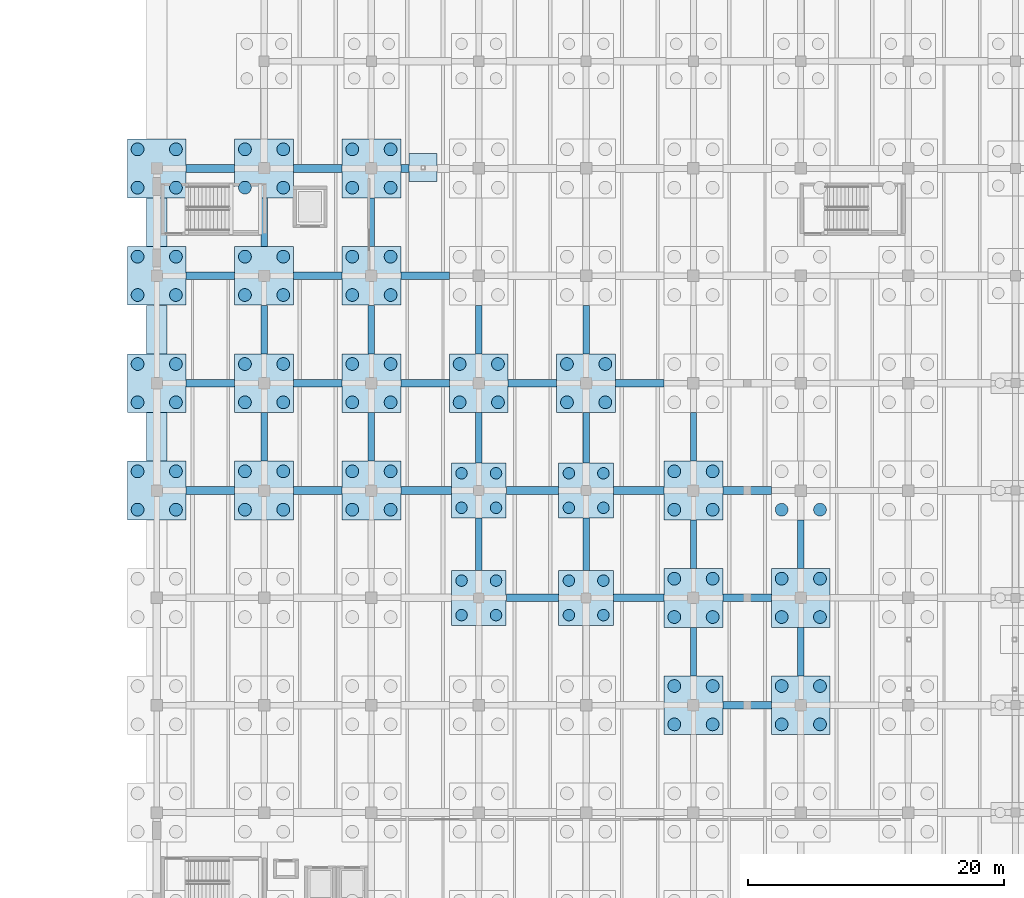
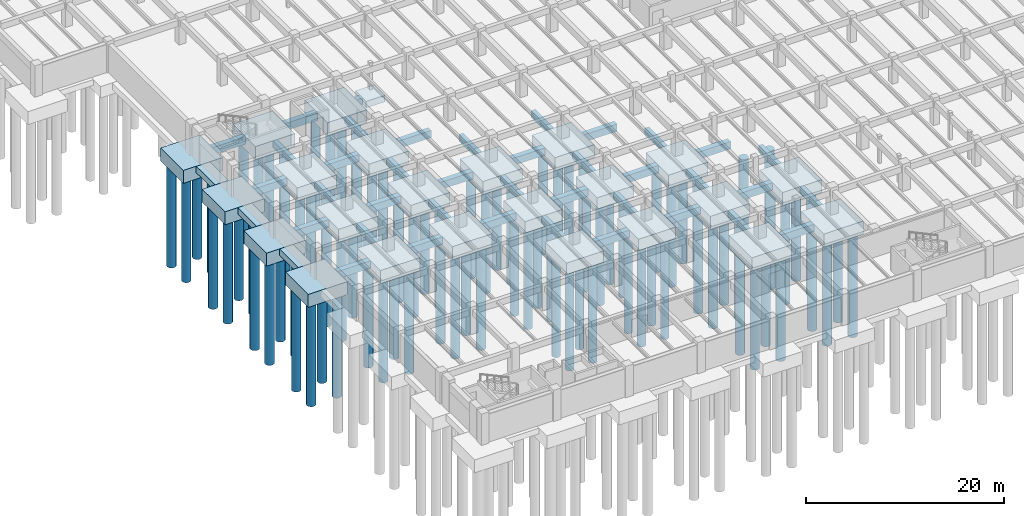
# One storey, part 2 of 70: 94 piles, 65 footings.
"""IFC4 building model written with IfcOpenShell, lengths in metres."""

from ifc_helpers import new_model, si_unit, direction, frame, origin, origin_2d, place, context, subcontext, project, spatial, rectangle, circle, extrude, material, material_profile, profile_set, type_object, element, save


model = new_model("IFC4")

# Units and contexts
model_context = context("Model", 3, precision=1e-05, world=origin(), true_north=direction((0.0, 1.0)))
body_context = subcontext(model_context, "Body", "Model", "MODEL_VIEW")
ifc_project = project(units=[si_unit("LENGTHUNIT", "METRE"), si_unit("AREAUNIT", "SQUARE_METRE"), si_unit("VOLUMEUNIT", "CUBIC_METRE"), si_unit("PLANEANGLEUNIT", "RADIAN"), si_unit("MASSUNIT", "GRAM", prefix="KILO")], contexts=[model_context])

# Site, building, storey
site_placement = place(None, origin())
site = spatial("IfcSite", under=ifc_project, at=site_placement, CompositionType="ELEMENT")
building_placement = place(site_placement, origin())
building = spatial("IfcBuilding", under=site, at=building_placement, Name="Cumbredor Promenade Congress Hotel", CompositionType="ELEMENT")
storey_placement = place(building_placement, frame((0.0, 0.0, -7.56005859375)))
storey = spatial("IfcBuildingStorey", under=building, at=storey_placement, Name="B02", CompositionType="ELEMENT", Elevation=-7.56005859375)

# Piles
ifc_material = material(Name="Concrete C40/50", Category="concrete")
ifc_material_profile_1 = material_profile(ifc_material, circle(Radius=0.449951171875, at=origin_2d()), Name="PILE D900")
ifc_profile_set_1 = profile_set([ifc_material_profile_1], Name="Concrete C40/50")
pile_type_1 = type_object("IfcPileType", Name="Bored Concrete Pile BP-02 900mm", PredefinedType="BORED", material=ifc_profile_set_1)
for number, where, z_axis, x_axis, name in (
    (1, (32.25, 32.25, -1.75), (0.0, 0.0, -1.0), (1.0, 0.0, 0.0), "Bored Pile PC-02-049.1"),
    (2, (34.949951171875, 32.25, -1.75), (0.0, 0.0, -1.0), (1.0, 0.0, 0.0), "Bored Pile PC-02-049.2"),
    (3, (32.25, 34.949951171875, -1.75), (0.0, 0.0, -1.0), (1.0, 0.0, 0.0), "Bored Pile PC-02-049.3"),
    (4, (34.949951171875, 34.949951171875, -1.75), (0.0, 0.0, -1.0), (1.0, 0.0, 0.0), "Bored Pile PC-02-049.4"),
    (5, (32.25, 40.64990234375, -1.75), (0.0, 0.0, -1.0), (1.0, 0.0, 0.0), "Bored Pile PC-02-050.1"),
    (6, (34.949951171875, 40.64990234375, -1.75), (0.0, 0.0, -1.0), (1.0, 0.0, 0.0), "Bored Pile PC-02-050.2"),
    (7, (32.25, 43.35009765625, -1.75), (0.0, 0.0, -1.0), (1.0, 0.0, 0.0), "Bored Pile PC-02-050.3"),
    (8, (34.949951171875, 43.35009765625, -1.75), (0.0, 0.0, -1.0), (1.0, 0.0, 0.0), "Bored Pile PC-02-050.4"),
    (9, (40.64990234375, 32.25, -1.75), (0.0, 0.0, -1.0), (1.0, 0.0, 0.0), "Bored Pile PC-02-062.1"),
    (10, (43.35009765625, 32.25, -1.75), (0.0, 0.0, -1.0), (1.0, 0.0, 0.0), "Bored Pile PC-02-062.2"),
    (11, (40.64990234375, 34.949951171875, -1.75), (0.0, 0.0, -1.0), (1.0, 0.0, 0.0), "Bored Pile PC-02-062.3"),
    (12, (43.35009765625, 34.949951171875, -1.75), (0.0, 0.0, -1.0), (1.0, 0.0, 0.0), "Bored Pile PC-02-062.4"),
    (13, (40.64990234375, 40.64990234375, -1.75), (0.0, 0.0, -1.0), (1.0, 0.0, 0.0), "Bored Pile PC-02-063.1"),
    (14, (43.35009765625, 40.64990234375, -1.75), (0.0, 0.0, -1.0), (1.0, 0.0, 0.0), "Bored Pile PC-02-063.2"),
    (15, (40.64990234375, 43.35009765625, -1.75), (0.0, 0.0, -1.0), (1.0, 0.0, 0.0), "Bored Pile PC-02-063.3"),
    (16, (43.35009765625, 43.35009765625, -1.75), (0.0, 0.0, -1.0), (1.0, 0.0, 0.0), "Bored Pile PC-02-063.4"),
):
    element("IfcPile", number, at=place(storey_placement, frame(where, z_axis=z_axis, x_axis=x_axis)), inside=storey, type_object=pile_type_1, Name=name, PredefinedType="BORED", context=body_context, shape_type="SweptSolid", body=[
        extrude(circle(Radius=0.449951171875, at=origin_2d()), origin(), (0.0, 0.0, 1.0), 12.5),
    ])
ifc_material_profile_2 = material_profile(ifc_material, circle(Radius=0.5, at=origin_2d()), Name="PILE D1000")
ifc_profile_set_2 = profile_set([ifc_material_profile_2], Name="Concrete C40/50")
pile_type_2 = type_object("IfcPileType", Name="Bored Concrete Pile BP-03 1000mm", PredefinedType="BORED", material=ifc_profile_set_2)
for number, where, z_axis, x_axis, name in (
    (17, (6.89990234375, 40.5, -1.949951171875), (0.0, 0.0, -1.0), (1.0, 0.0, 0.0), "Bored Pile PC-03-010.1"),
    (18, (9.89990234375, 40.5, -1.949951171875), (0.0, 0.0, -1.0), (1.0, 0.0, 0.0), "Bored Pile PC-03-010.2"),
    (19, (6.89990234375, 43.5, -1.949951171875), (0.0, 0.0, -1.0), (1.0, 0.0, 0.0), "Bored Pile PC-03-010.3"),
    (20, (9.89990234375, 43.5, -1.949951171875), (0.0, 0.0, -1.0), (1.0, 0.0, 0.0), "Bored Pile PC-03-010.4"),
    (21, (6.89990234375, 48.89990234375, -1.949951171875), (0.0, 0.0, -1.0), (1.0, 0.0, 0.0), "Bored Pile PC-03-011.1"),
    (22, (9.89990234375, 48.89990234375, -1.949951171875), (0.0, 0.0, -1.0), (1.0, 0.0, 0.0), "Bored Pile PC-03-011.2"),
    (23, (6.89990234375, 51.89990234375, -1.949951171875), (0.0, 0.0, -1.0), (1.0, 0.0, 0.0), "Bored Pile PC-03-011.3"),
    (24, (9.89990234375, 51.89990234375, -1.949951171875), (0.0, 0.0, -1.0), (1.0, 0.0, 0.0), "Bored Pile PC-03-011.4"),
    (25, (6.89990234375, 57.300048828125, -1.949951171875), (0.0, 0.0, -1.0), (1.0, 0.0, 0.0), "Bored Pile PC-03-012.1"),
    (26, (9.89990234375, 57.300048828125, -1.949951171875), (0.0, 0.0, -1.0), (1.0, 0.0, 0.0), "Bored Pile PC-03-012.2"),
    (27, (6.89990234375, 60.300048828125, -1.949951171875), (0.0, 0.0, -1.0), (1.0, 0.0, 0.0), "Bored Pile PC-03-012.3"),
    (28, (9.89990234375, 60.300048828125, -1.949951171875), (0.0, 0.0, -1.0), (1.0, 0.0, 0.0), "Bored Pile PC-03-012.4"),
    (29, (6.89990234375, 65.699951171875, -1.949951171875), (0.0, 0.0, -1.0), (1.0, 0.0, 0.0), "Bored Pile PC-03-013.1"),
    (30, (9.89990234375, 65.699951171875, -1.949951171875), (0.0, 0.0, -1.0), (1.0, 0.0, 0.0), "Bored Pile PC-03-013.2"),
    (31, (6.89990234375, 68.699951171875, -1.949951171875), (0.0, 0.0, -1.0), (1.0, 0.0, 0.0), "Bored Pile PC-03-013.3"),
    (32, (9.89990234375, 68.699951171875, -1.949951171875), (0.0, 0.0, -1.0), (1.0, 0.0, 0.0), "Bored Pile PC-03-013.4"),
    (33, (15.300048828125, 40.5, -1.949951171875), (0.0, 0.0, -1.0), (1.0, 0.0, 0.0), "Bored Pile PC-03-023.1"),
    (34, (18.300048828125, 40.5, -1.949951171875), (0.0, 0.0, -1.0), (1.0, 0.0, 0.0), "Bored Pile PC-03-023.2"),
    (35, (15.300048828125, 43.5, -1.949951171875), (0.0, 0.0, -1.0), (1.0, 0.0, 0.0), "Bored Pile PC-03-023.3"),
    (36, (18.300048828125, 43.5, -1.949951171875), (0.0, 0.0, -1.0), (1.0, 0.0, 0.0), "Bored Pile PC-03-023.4"),
    (37, (15.300048828125, 48.89990234375, -1.949951171875), (0.0, 0.0, -1.0), (1.0, 0.0, 0.0), "Bored Pile PC-03-024.1"),
    (38, (18.300048828125, 48.89990234375, -1.949951171875), (0.0, 0.0, -1.0), (1.0, 0.0, 0.0), "Bored Pile PC-03-024.2"),
    (39, (15.300048828125, 51.89990234375, -1.949951171875), (0.0, 0.0, -1.0), (1.0, 0.0, 0.0), "Bored Pile PC-03-024.3"),
    (40, (18.300048828125, 51.89990234375, -1.949951171875), (0.0, 0.0, -1.0), (1.0, 0.0, 0.0), "Bored Pile PC-03-024.4"),
    (41, (15.300048828125, 57.300048828125, -1.949951171875), (0.0, 0.0, -1.0), (1.0, 0.0, 0.0), "Bored Pile PC-03-025.1"),
    (42, (18.300048828125, 57.300048828125, -1.949951171875), (0.0, 0.0, -1.0), (1.0, 0.0, 0.0), "Bored Pile PC-03-025.2"),
    (43, (15.300048828125, 60.300048828125, -1.949951171875), (0.0, 0.0, -1.0), (1.0, 0.0, 0.0), "Bored Pile PC-03-025.3"),
    (44, (18.300048828125, 60.300048828125, -1.949951171875), (0.0, 0.0, -1.0), (1.0, 0.0, 0.0), "Bored Pile PC-03-025.4"),
    (45, (15.300048828125, 65.699951171875, -1.949951171875), (0.0, 0.0, -1.0), (1.0, 0.0, 0.0), "Bored Pile PC-03-026.1"),
    (46, (18.300048828125, 65.699951171875, -1.949951171875), (0.0, 0.0, -1.0), (1.0, 0.0, 0.0), "Bored Pile PC-03-026.2"),
    (47, (15.300048828125, 68.699951171875, -1.949951171875), (0.0, 0.0, -1.0), (1.0, 0.0, 0.0), "Bored Pile PC-03-026.3"),
    (48, (18.300048828125, 68.699951171875, -1.949951171875), (0.0, 0.0, -1.0), (1.0, 0.0, 0.0), "Bored Pile PC-03-026.4"),
    (49, (23.699951171875, 40.5, -1.949951171875), (0.0, 0.0, -1.0), (1.0, 0.0, 0.0), "Bored Pile PC-03-037.1"),
    (50, (26.699951171875, 40.5, -1.949951171875), (0.0, 0.0, -1.0), (1.0, 0.0, 0.0), "Bored Pile PC-03-037.2"),
    (51, (23.699951171875, 43.5, -1.949951171875), (0.0, 0.0, -1.0), (1.0, 0.0, 0.0), "Bored Pile PC-03-037.3"),
    (52, (26.699951171875, 43.5, -1.949951171875), (0.0, 0.0, -1.0), (1.0, 0.0, 0.0), "Bored Pile PC-03-037.4"),
    (53, (23.699951171875, 48.89990234375, -1.949951171875), (0.0, 0.0, -1.0), (1.0, 0.0, 0.0), "Bored Pile PC-03-038.1"),
    (54, (26.699951171875, 48.89990234375, -1.949951171875), (0.0, 0.0, -1.0), (1.0, 0.0, 0.0), "Bored Pile PC-03-038.2"),
    (55, (23.699951171875, 51.89990234375, -1.949951171875), (0.0, 0.0, -1.0), (1.0, 0.0, 0.0), "Bored Pile PC-03-038.3"),
    (56, (26.699951171875, 51.89990234375, -1.949951171875), (0.0, 0.0, -1.0), (1.0, 0.0, 0.0), "Bored Pile PC-03-038.4"),
    (57, (23.699951171875, 57.300048828125, -1.949951171875), (0.0, 0.0, -1.0), (1.0, 0.0, 0.0), "Bored Pile PC-03-039.1"),
    (58, (26.699951171875, 57.300048828125, -1.949951171875), (0.0, 0.0, -1.0), (1.0, 0.0, 0.0), "Bored Pile PC-03-039.2"),
    (59, (23.699951171875, 60.300048828125, -1.949951171875), (0.0, 0.0, -1.0), (1.0, 0.0, 0.0), "Bored Pile PC-03-039.3"),
    (60, (26.699951171875, 60.300048828125, -1.949951171875), (0.0, 0.0, -1.0), (1.0, 0.0, 0.0), "Bored Pile PC-03-039.4"),
    (61, (23.699951171875, 65.699951171875, -1.949951171875), (0.0, 0.0, -1.0), (1.0, 0.0, 0.0), "Bored Pile PC-03-040.1"),
    (62, (26.699951171875, 65.699951171875, -1.949951171875), (0.0, 0.0, -1.0), (1.0, 0.0, 0.0), "Bored Pile PC-03-040.2"),
    (63, (23.699951171875, 68.699951171875, -1.949951171875), (0.0, 0.0, -1.0), (1.0, 0.0, 0.0), "Bored Pile PC-03-040.3"),
    (64, (26.699951171875, 68.699951171875, -1.949951171875), (0.0, 0.0, -1.0), (1.0, 0.0, 0.0), "Bored Pile PC-03-040.4"),
    (65, (32.10009765625, 48.89990234375, -1.949951171875), (0.0, 0.0, -1.0), (1.0, 0.0, 0.0), "Bored Pile PC-03-051.1"),
    (66, (35.10009765625, 48.89990234375, -1.949951171875), (0.0, 0.0, -1.0), (1.0, 0.0, 0.0), "Bored Pile PC-03-051.2"),
    (67, (32.10009765625, 51.89990234375, -1.949951171875), (0.0, 0.0, -1.0), (1.0, 0.0, 0.0), "Bored Pile PC-03-051.3"),
    (68, (35.10009765625, 51.89990234375, -1.949951171875), (0.0, 0.0, -1.0), (1.0, 0.0, 0.0), "Bored Pile PC-03-051.4"),
    (69, (40.5, 48.89990234375, -1.949951171875), (0.0, 0.0, -1.0), (1.0, 0.0, 0.0), "Bored Pile PC-03-064.1"),
    (70, (43.5, 48.89990234375, -1.949951171875), (0.0, 0.0, -1.0), (1.0, 0.0, 0.0), "Bored Pile PC-03-064.2"),
    (71, (40.5, 51.89990234375, -1.949951171875), (0.0, 0.0, -1.0), (1.0, 0.0, 0.0), "Bored Pile PC-03-064.3"),
    (72, (43.5, 51.89990234375, -1.949951171875), (0.0, 0.0, -1.0), (1.0, 0.0, 0.0), "Bored Pile PC-03-064.4"),
    (73, (48.89990234375, 23.699951171875, -1.949951171875), (0.0, 0.0, -1.0), (1.0, 0.0, 0.0), "Bored Pile PC-03-074.1"),
    (74, (51.89990234375, 23.699951171875, -1.949951171875), (0.0, 0.0, -1.0), (1.0, 0.0, 0.0), "Bored Pile PC-03-074.2"),
    (75, (48.89990234375, 26.699951171875, -1.949951171875), (0.0, 0.0, -1.0), (1.0, 0.0, 0.0), "Bored Pile PC-03-074.3"),
    (76, (51.89990234375, 26.699951171875, -1.949951171875), (0.0, 0.0, -1.0), (1.0, 0.0, 0.0), "Bored Pile PC-03-074.4"),
    (77, (48.89990234375, 32.10009765625, -1.949951171875), (0.0, 0.0, -1.0), (1.0, 0.0, 0.0), "Bored Pile PC-03-075.1"),
    (78, (51.89990234375, 32.10009765625, -1.949951171875), (0.0, 0.0, -1.0), (1.0, 0.0, 0.0), "Bored Pile PC-03-075.2"),
    (79, (48.89990234375, 35.10009765625, -1.949951171875), (0.0, 0.0, -1.0), (1.0, 0.0, 0.0), "Bored Pile PC-03-075.3"),
    (80, (51.89990234375, 35.10009765625, -1.949951171875), (0.0, 0.0, -1.0), (1.0, 0.0, 0.0), "Bored Pile PC-03-075.4"),
    (81, (48.89990234375, 40.5, -1.949951171875), (0.0, 0.0, -1.0), (1.0, 0.0, 0.0), "Bored Pile PC-03-076.1"),
    (82, (51.89990234375, 40.5, -1.949951171875), (0.0, 0.0, -1.0), (1.0, 0.0, 0.0), "Bored Pile PC-03-076.2"),
    (83, (48.89990234375, 43.5, -1.949951171875), (0.0, 0.0, -1.0), (1.0, 0.0, 0.0), "Bored Pile PC-03-076.3"),
    (84, (51.89990234375, 43.5, -1.949951171875), (0.0, 0.0, -1.0), (1.0, 0.0, 0.0), "Bored Pile PC-03-076.4"),
    (85, (57.300048828125, 23.699951171875, -1.949951171875), (0.0, 0.0, -1.0), (1.0, 0.0, 0.0), "Bored Pile PC-03-088.1"),
    (86, (60.300048828125, 23.699951171875, -1.949951171875), (0.0, 0.0, -1.0), (1.0, 0.0, 0.0), "Bored Pile PC-03-088.2"),
    (87, (57.300048828125, 26.699951171875, -1.949951171875), (0.0, 0.0, -1.0), (1.0, 0.0, 0.0), "Bored Pile PC-03-088.3"),
    (88, (60.300048828125, 26.699951171875, -1.949951171875), (0.0, 0.0, -1.0), (1.0, 0.0, 0.0), "Bored Pile PC-03-088.4"),
    (89, (57.300048828125, 32.10009765625, -1.949951171875), (0.0, 0.0, -1.0), (1.0, 0.0, 0.0), "Bored Pile PC-03-089.1"),
    (90, (60.300048828125, 32.10009765625, -1.949951171875), (0.0, 0.0, -1.0), (1.0, 0.0, 0.0), "Bored Pile PC-03-089.2"),
    (91, (57.300048828125, 35.10009765625, -1.949951171875), (0.0, 0.0, -1.0), (1.0, 0.0, 0.0), "Bored Pile PC-03-089.3"),
    (92, (60.300048828125, 35.10009765625, -1.949951171875), (0.0, 0.0, -1.0), (1.0, 0.0, 0.0), "Bored Pile PC-03-089.4"),
    (93, (57.300048828125, 40.5, -1.949951171875), (0.0, 0.0, -1.0), (1.0, 0.0, 0.0), "Bored Pile PC-03-090.1"),
    (94, (60.300048828125, 40.5, -1.949951171875), (0.0, 0.0, -1.0), (1.0, 0.0, 0.0), "Bored Pile PC-03-090.2"),
):
    element("IfcPile", number, at=place(storey_placement, frame(where, z_axis=z_axis, x_axis=x_axis)), inside=storey, type_object=pile_type_2, Name=name, PredefinedType="BORED", context=body_context, shape_type="SweptSolid", body=[
        extrude(circle(Radius=0.5, at=origin_2d()), origin(), (0.0, 0.0, 1.0), 12.800048828125),
    ])

# Footings
ifc_material_profile_3 = material_profile(ifc_material, rectangle(XDim=0.5, YDim=0.800048828125, at=origin_2d()), Name="FB 500x800")
ifc_profile_set_3 = profile_set([ifc_material_profile_3], Name="Concrete C40/50")
footing_type_1 = type_object("IfcFootingType", Name="Concrete Footing Tie Beam FB-01 500x800", PredefinedType="FOOTING_BEAM", material=ifc_profile_set_3)
footing_1_placement = place(storey_placement, frame((16.800048828125, 44.302001953125, -0.89990234375), z_axis=(0.0, 1.0, 0.0), x_axis=(-1.0, 0.0, 0.0)))
element("IfcFooting", 95, at=footing_1_placement, inside=storey, type_object=footing_type_1, Name="Seismic Footing Tie Beam FB-043", PredefinedType="FOOTING_BEAM", context=body_context, shape_type="SweptSolid", body=[
    extrude(rectangle(XDim=0.5, YDim=0.800048828125, at=origin_2d()), origin(), (0.0, 0.0, 1.0), 3.7958984375),
])
footing_2_placement = place(storey_placement, frame((16.800048828125, 52.701904296875, -0.89990234375), z_axis=(0.0, 1.0, 0.0), x_axis=(-1.0, 0.0, 0.0)))
element("IfcFooting", 96, at=footing_2_placement, inside=storey, type_object=footing_type_1, Name="Seismic Footing Tie Beam FB-045", PredefinedType="FOOTING_BEAM", context=body_context, shape_type="SweptSolid", body=[
    extrude(rectangle(XDim=0.5, YDim=0.800048828125, at=origin_2d()), origin(), (0.0, 0.0, 1.0), 3.796142578125),
])
for number, where, z_axis, x_axis, name in (
    (97, (16.800048828125, 61.10205078125, -0.89990234375), (0.0, 1.0, 0.0), (-1.0, 0.0, 0.0), "Seismic Footing Tie Beam FB-047"),
    (98, (25.199951171875, 44.302001953125, -0.89990234375), (0.0, 1.0, 0.0), (-1.0, 0.0, 0.0), "Seismic Footing Tie Beam FB-069"),
):
    element("IfcFooting", number, at=place(storey_placement, frame(where, z_axis=z_axis, x_axis=x_axis)), inside=storey, type_object=footing_type_1, Name=name, PredefinedType="FOOTING_BEAM", context=body_context, shape_type="SweptSolid", body=[
        extrude(rectangle(XDim=0.5, YDim=0.800048828125, at=origin_2d()), origin(), (0.0, 0.0, 1.0), 3.7958984375),
    ])
footing_3_placement = place(storey_placement, frame((25.199951171875, 52.701904296875, -0.89990234375), z_axis=(0.0, 1.0, 0.0), x_axis=(-1.0, 0.0, 0.0)))
element("IfcFooting", 99, at=footing_3_placement, inside=storey, type_object=footing_type_1, Name="Seismic Footing Tie Beam FB-071", PredefinedType="FOOTING_BEAM", context=body_context, shape_type="SweptSolid", body=[
    extrude(rectangle(XDim=0.5, YDim=0.800048828125, at=origin_2d()), origin(), (0.0, 0.0, 1.0), 3.796142578125),
])
footing_4_placement = place(storey_placement, frame((25.199951171875, 61.10205078125, -0.89990234375), z_axis=(0.0, 1.0, 0.0), x_axis=(-1.0, 0.0, 0.0)))
element("IfcFooting", 100, at=footing_4_placement, inside=storey, type_object=footing_type_1, Name="Seismic Footing Tie Beam FB-073", PredefinedType="FOOTING_BEAM", context=body_context, shape_type="SweptSolid", body=[
    extrude(rectangle(XDim=0.5, YDim=0.800048828125, at=origin_2d()), origin(), (0.0, 0.0, 1.0), 3.7958984375),
])
footing_5_placement = place(storey_placement, frame((33.60009765625, 35.751953125, -0.89990234375), z_axis=(0.0, 1.0, 0.0), x_axis=(-1.0, 0.0, 0.0)))
element("IfcFooting", 101, at=footing_5_placement, inside=storey, type_object=footing_type_1, Name="Seismic Footing Tie Beam FB-089", PredefinedType="FOOTING_BEAM", context=body_context, shape_type="SweptSolid", body=[
    extrude(rectangle(XDim=0.5, YDim=0.800048828125, at=origin_2d()), origin(), (0.0, 0.0, 1.0), 4.095947265625),
])
footing_6_placement = place(storey_placement, frame((33.60009765625, 44.152099609375, -0.89990234375), z_axis=(0.0, 1.0, 0.0), x_axis=(-1.0, 0.0, 0.0)))
element("IfcFooting", 102, at=footing_6_placement, inside=storey, type_object=footing_type_1, Name="Seismic Footing Tie Beam FB-091", PredefinedType="FOOTING_BEAM", context=body_context, shape_type="SweptSolid", body=[
    extrude(rectangle(XDim=0.5, YDim=0.800048828125, at=origin_2d()), origin(), (0.0, 0.0, 1.0), 3.94580078125),
])
footing_7_placement = place(storey_placement, frame((33.60009765625, 52.701904296875, -0.89990234375), z_axis=(0.0, 1.0, 0.0), x_axis=(-1.0, 0.0, 0.0)))
element("IfcFooting", 103, at=footing_7_placement, inside=storey, type_object=footing_type_1, Name="Seismic Footing Tie Beam FB-093", PredefinedType="FOOTING_BEAM", context=body_context, shape_type="SweptSolid", body=[
    extrude(rectangle(XDim=0.5, YDim=0.800048828125, at=origin_2d()), origin(), (0.0, 0.0, 1.0), 3.796142578125),
])
footing_8_placement = place(storey_placement, frame((42.0, 35.751953125, -0.89990234375), z_axis=(0.0, 1.0, 0.0), x_axis=(-1.0, 0.0, 0.0)))
element("IfcFooting", 104, at=footing_8_placement, inside=storey, type_object=footing_type_1, Name="Seismic Footing Tie Beam FB-111", PredefinedType="FOOTING_BEAM", context=body_context, shape_type="SweptSolid", body=[
    extrude(rectangle(XDim=0.5, YDim=0.800048828125, at=origin_2d()), origin(), (0.0, 0.0, 1.0), 4.095947265625),
])
footing_9_placement = place(storey_placement, frame((42.0, 44.152099609375, -0.89990234375), z_axis=(0.0, 1.0, 0.0), x_axis=(-1.0, 0.0, 0.0)))
element("IfcFooting", 105, at=footing_9_placement, inside=storey, type_object=footing_type_1, Name="Seismic Footing Tie Beam FB-113", PredefinedType="FOOTING_BEAM", context=body_context, shape_type="SweptSolid", body=[
    extrude(rectangle(XDim=0.5, YDim=0.800048828125, at=origin_2d()), origin(), (0.0, 0.0, 1.0), 3.94580078125),
])
for number, where, z_axis, x_axis, name in (
    (106, (42.0, 52.701904296875, -0.89990234375), (0.0, 1.0, 0.0), (-1.0, 0.0, 0.0), "Seismic Footing Tie Beam FB-115"),
    (107, (50.39990234375, 27.501953125, -0.89990234375), (0.0, 1.0, 0.0), (-1.0, 0.0, 0.0), "Seismic Footing Tie Beam FB-133"),
):
    element("IfcFooting", number, at=place(storey_placement, frame(where, z_axis=z_axis, x_axis=x_axis)), inside=storey, type_object=footing_type_1, Name=name, PredefinedType="FOOTING_BEAM", context=body_context, shape_type="SweptSolid", body=[
        extrude(rectangle(XDim=0.5, YDim=0.800048828125, at=origin_2d()), origin(), (0.0, 0.0, 1.0), 3.796142578125),
    ])
for number, where, z_axis, x_axis, name in (
    (108, (50.39990234375, 35.902099609375, -0.89990234375), (0.0, 1.0, 0.0), (-1.0, 0.0, 0.0), "Seismic Footing Tie Beam FB-135"),
    (109, (50.39990234375, 44.302001953125, -0.89990234375), (0.0, 1.0, 0.0), (-1.0, 0.0, 0.0), "Seismic Footing Tie Beam FB-137"),
):
    element("IfcFooting", number, at=place(storey_placement, frame(where, z_axis=z_axis, x_axis=x_axis)), inside=storey, type_object=footing_type_1, Name=name, PredefinedType="FOOTING_BEAM", context=body_context, shape_type="SweptSolid", body=[
        extrude(rectangle(XDim=0.5, YDim=0.800048828125, at=origin_2d()), origin(), (0.0, 0.0, 1.0), 3.7958984375),
    ])
footing_10_placement = place(storey_placement, frame((58.800048828125, 27.501953125, -0.89990234375), z_axis=(0.0, 1.0, 0.0), x_axis=(-1.0, 0.0, 0.0)))
element("IfcFooting", 110, at=footing_10_placement, inside=storey, type_object=footing_type_1, Name="Seismic Footing Tie Beam FB-160", PredefinedType="FOOTING_BEAM", context=body_context, shape_type="SweptSolid", body=[
    extrude(rectangle(XDim=0.5, YDim=0.800048828125, at=origin_2d()), origin(), (0.0, 0.0, 1.0), 3.796142578125),
])
footing_11_placement = place(storey_placement, frame((58.800048828125, 35.902099609375, -0.89990234375), z_axis=(0.0, 1.0, 0.0), x_axis=(-1.0, 0.0, 0.0)))
element("IfcFooting", 111, at=footing_11_placement, inside=storey, type_object=footing_type_1, Name="Seismic Footing Tie Beam FB-162", PredefinedType="FOOTING_BEAM", context=body_context, shape_type="SweptSolid", body=[
    extrude(rectangle(XDim=0.5, YDim=0.800048828125, at=origin_2d()), origin(), (0.0, 0.0, 1.0), 3.7958984375),
])
ifc_material_profile_4 = material_profile(ifc_material, rectangle(XDim=0.60009765625, YDim=0.89990234375, at=origin_2d()), Name="FB 600x900")
ifc_profile_set_4 = profile_set([ifc_material_profile_4], Name="Concrete C40/50")
footing_type_2 = type_object("IfcFootingType", Name="Concrete Footing Tie Beam FB-02 600x900", PredefinedType="FOOTING_BEAM", material=ifc_profile_set_4)
for number, where, z_axis, x_axis, name in (
    (112, (10.701904296875, 42.0, -0.949951171875), (1.0, 0.0, 0.0), (0.0, 1.0, 0.0), "Seismic Footing Tie Beam FB-018"),
    (113, (10.701904296875, 50.39990234375, -0.949951171875), (1.0, 0.0, 0.0), (0.0, 1.0, 0.0), "Seismic Footing Tie Beam FB-020"),
    (114, (10.701904296875, 58.800048828125, -0.949951171875), (1.0, 0.0, 0.0), (0.0, 1.0, 0.0), "Seismic Footing Tie Beam FB-022"),
    (115, (10.701904296875, 67.199951171875, -0.949951171875), (1.0, 0.0, 0.0), (0.0, 1.0, 0.0), "Seismic Footing Tie Beam FB-024"),
):
    element("IfcFooting", number, at=place(storey_placement, frame(where, z_axis=z_axis, x_axis=x_axis)), inside=storey, type_object=footing_type_2, Name=name, PredefinedType="FOOTING_BEAM", context=body_context, shape_type="SweptSolid", body=[
        extrude(rectangle(XDim=0.60009765625, YDim=0.89990234375, at=origin_2d()), origin(), (0.0, 0.0, 1.0), 3.796142578125),
    ])
for number, where, z_axis, x_axis, name in (
    (116, (19.10205078125, 42.0, -0.949951171875), (1.0, 0.0, 0.0), (0.0, 1.0, 0.0), "Seismic Footing Tie Beam FB-042"),
    (117, (19.10205078125, 50.39990234375, -0.949951171875), (1.0, 0.0, 0.0), (0.0, 1.0, 0.0), "Seismic Footing Tie Beam FB-044"),
    (118, (19.10205078125, 58.800048828125, -0.949951171875), (1.0, 0.0, 0.0), (0.0, 1.0, 0.0), "Seismic Footing Tie Beam FB-046"),
    (119, (19.10205078125, 67.199951171875, -0.949951171875), (1.0, 0.0, 0.0), (0.0, 1.0, 0.0), "Seismic Footing Tie Beam FB-048"),
):
    element("IfcFooting", number, at=place(storey_placement, frame(where, z_axis=z_axis, x_axis=x_axis)), inside=storey, type_object=footing_type_2, Name=name, PredefinedType="FOOTING_BEAM", context=body_context, shape_type="SweptSolid", body=[
        extrude(rectangle(XDim=0.60009765625, YDim=0.89990234375, at=origin_2d()), origin(), (0.0, 0.0, 1.0), 3.7958984375),
    ])
footing_12_placement = place(storey_placement, frame((27.501953125, 42.0, -0.949951171875), z_axis=(1.0, 0.0, 0.0), x_axis=(0.0, 1.0, 0.0)))
element("IfcFooting", 120, at=footing_12_placement, inside=storey, type_object=footing_type_2, Name="Seismic Footing Tie Beam FB-068", PredefinedType="FOOTING_BEAM", context=body_context, shape_type="SweptSolid", body=[
    extrude(rectangle(XDim=0.60009765625, YDim=0.89990234375, at=origin_2d()), origin(), (0.0, 0.0, 1.0), 3.946044921875),
])
for number, where, z_axis, x_axis, name in (
    (121, (27.501953125, 50.39990234375, -0.949951171875), (1.0, 0.0, 0.0), (0.0, 1.0, 0.0), "Seismic Footing Tie Beam FB-070"),
    (122, (27.501953125, 58.800048828125, -0.949951171875), (1.0, 0.0, 0.0), (0.0, 1.0, 0.0), "Seismic Footing Tie Beam FB-072"),
):
    element("IfcFooting", number, at=place(storey_placement, frame(where, z_axis=z_axis, x_axis=x_axis)), inside=storey, type_object=footing_type_2, Name=name, PredefinedType="FOOTING_BEAM", context=body_context, shape_type="SweptSolid", body=[
        extrude(rectangle(XDim=0.60009765625, YDim=0.89990234375, at=origin_2d()), origin(), (0.0, 0.0, 1.0), 3.796142578125),
    ])
footing_13_placement = place(storey_placement, frame((27.501953125, 67.199951171875, -0.949951171875), z_axis=(1.0, 0.0, 0.0), x_axis=(0.0, 1.0, 0.0)))
element("IfcFooting", 123, at=footing_13_placement, inside=storey, type_object=footing_type_2, Name="Seismic Footing Tie Beam FB-074 Seg 01", PredefinedType="FOOTING_BEAM", context=body_context, shape_type="SweptSolid", body=[
    extrude(rectangle(XDim=0.60009765625, YDim=0.89990234375, at=origin_2d()), origin(), (0.0, 0.0, 1.0), 0.64599609375),
])
for number, where, z_axis, x_axis, name in (
    (124, (35.751953125, 33.60009765625, -0.949951171875), (1.0, 0.0, 0.0), (0.0, 1.0, 0.0), "Seismic Footing Tie Beam FB-088"),
    (125, (35.751953125, 42.0, -0.949951171875), (1.0, 0.0, 0.0), (0.0, 1.0, 0.0), "Seismic Footing Tie Beam FB-090"),
):
    element("IfcFooting", number, at=place(storey_placement, frame(where, z_axis=z_axis, x_axis=x_axis)), inside=storey, type_object=footing_type_2, Name=name, PredefinedType="FOOTING_BEAM", context=body_context, shape_type="SweptSolid", body=[
        extrude(rectangle(XDim=0.60009765625, YDim=0.89990234375, at=origin_2d()), origin(), (0.0, 0.0, 1.0), 4.095947265625),
    ])
footing_14_placement = place(storey_placement, frame((35.902099609375, 50.39990234375, -0.949951171875), z_axis=(1.0, 0.0, 0.0), x_axis=(0.0, 1.0, 0.0)))
element("IfcFooting", 126, at=footing_14_placement, inside=storey, type_object=footing_type_2, Name="Seismic Footing Tie Beam FB-092", PredefinedType="FOOTING_BEAM", context=body_context, shape_type="SweptSolid", body=[
    extrude(rectangle(XDim=0.60009765625, YDim=0.89990234375, at=origin_2d()), origin(), (0.0, 0.0, 1.0), 3.7958984375),
])
for number, where, z_axis, x_axis, name in (
    (127, (44.152099609375, 33.60009765625, -0.949951171875), (1.0, 0.0, 0.0), (0.0, 1.0, 0.0), "Seismic Footing Tie Beam FB-110"),
    (128, (44.152099609375, 42.0, -0.949951171875), (1.0, 0.0, 0.0), (0.0, 1.0, 0.0), "Seismic Footing Tie Beam FB-112"),
):
    element("IfcFooting", number, at=place(storey_placement, frame(where, z_axis=z_axis, x_axis=x_axis)), inside=storey, type_object=footing_type_2, Name=name, PredefinedType="FOOTING_BEAM", context=body_context, shape_type="SweptSolid", body=[
        extrude(rectangle(XDim=0.60009765625, YDim=0.89990234375, at=origin_2d()), origin(), (0.0, 0.0, 1.0), 3.94580078125),
    ])
footing_15_placement = place(storey_placement, frame((44.302001953125, 50.39990234375, -0.949951171875), z_axis=(1.0, 0.0, 0.0), x_axis=(0.0, 1.0, 0.0)))
element("IfcFooting", 129, at=footing_15_placement, inside=storey, type_object=footing_type_2, Name="Seismic Footing Tie Beam FB-114", PredefinedType="FOOTING_BEAM", context=body_context, shape_type="SweptSolid", body=[
    extrude(rectangle(XDim=0.60009765625, YDim=0.89990234375, at=origin_2d()), origin(), (0.0, 0.0, 1.0), 3.7958984375),
])
for number, where, z_axis, x_axis, name in (
    (130, (52.701904296875, 25.199951171875, -0.949951171875), (1.0, 0.0, 0.0), (0.0, 1.0, 0.0), "Seismic Footing Tie Beam FB-132"),
    (131, (52.701904296875, 33.60009765625, -0.949951171875), (1.0, 0.0, 0.0), (0.0, 1.0, 0.0), "Seismic Footing Tie Beam FB-134"),
    (132, (52.701904296875, 42.0, -0.949951171875), (1.0, 0.0, 0.0), (0.0, 1.0, 0.0), "Seismic Footing Tie Beam FB-136"),
):
    element("IfcFooting", number, at=place(storey_placement, frame(where, z_axis=z_axis, x_axis=x_axis)), inside=storey, type_object=footing_type_2, Name=name, PredefinedType="FOOTING_BEAM", context=body_context, shape_type="SweptSolid", body=[
        extrude(rectangle(XDim=0.60009765625, YDim=0.89990234375, at=origin_2d()), origin(), (0.0, 0.0, 1.0), 3.796142578125),
    ])
footing_type_3 = type_object("IfcFootingType", Name="Concrete Pad Footing PF-01 2200x2200x800", PredefinedType="PAD_FOOTING", material=ifc_material)
footing_16_placement = place(storey_placement, frame((29.25, 67.280029296875, -1.2998046875), z_axis=(0.0, 0.0, 1.0), x_axis=(1.0, 0.0, 0.0)))
element("IfcFooting", 133, at=footing_16_placement, inside=storey, type_object=footing_type_3, Name="West Congress-to-Hotel Glazed Bridge Corbel Pier Footing 2", PredefinedType="PAD_FOOTING", context=body_context, shape_type="SweptSolid", body=[
    extrude(rectangle(XDim=2.199951171875, YDim=2.199951171875, at=origin_2d()), origin(), (0.0, 0.0, 1.0), 0.800048828125),
])
footing_type_4 = type_object("IfcFootingType", Name="Concrete Pile Cap PC-02 4300x4300x1400", PredefinedType="PILE_CAP", material=ifc_material)
for number, where, z_axis, x_axis, name in (
    (134, (33.60009765625, 33.60009765625, -1.89990234375), (0.0, 0.0, 1.0), (1.0, 0.0, 0.0), "Pile Cap PC-02 049"),
    (135, (33.60009765625, 42.0, -1.89990234375), (0.0, 0.0, 1.0), (1.0, 0.0, 0.0), "Pile Cap PC-02 050"),
    (136, (42.0, 33.60009765625, -1.89990234375), (0.0, 0.0, 1.0), (1.0, 0.0, 0.0), "Pile Cap PC-02 062"),
    (137, (42.0, 42.0, -1.89990234375), (0.0, 0.0, 1.0), (1.0, 0.0, 0.0), "Pile Cap PC-02 063"),
):
    element("IfcFooting", number, at=place(storey_placement, frame(where, z_axis=z_axis, x_axis=x_axis)), inside=storey, type_object=footing_type_4, Name=name, PredefinedType="PILE_CAP", context=body_context, shape_type="SweptSolid", body=[
        extrude(rectangle(XDim=4.300048828125, YDim=4.300048828125, at=origin_2d()), origin(), (0.0, 0.0, 1.0), 1.39990234375),
    ])
footing_type_5 = type_object("IfcFootingType", Name="Concrete Pile Cap PC-03 4600x4600x1600", PredefinedType="PILE_CAP", material=ifc_material)
for number, where, z_axis, x_axis, name in (
    (138, (8.39990234375, 42.0, -2.10009765625), (0.0, 0.0, 1.0), (1.0, 0.0, 0.0), "Pile Cap PC-03 010"),
    (139, (8.39990234375, 50.39990234375, -2.10009765625), (0.0, 0.0, 1.0), (1.0, 0.0, 0.0), "Pile Cap PC-03 011"),
    (140, (8.39990234375, 58.800048828125, -2.10009765625), (0.0, 0.0, 1.0), (1.0, 0.0, 0.0), "Pile Cap PC-03 012"),
    (141, (8.39990234375, 67.199951171875, -2.10009765625), (0.0, 0.0, 1.0), (1.0, 0.0, 0.0), "Pile Cap PC-03 013"),
    (142, (16.800048828125, 42.0, -2.10009765625), (0.0, 0.0, 1.0), (1.0, 0.0, 0.0), "Pile Cap PC-03 023"),
    (143, (16.800048828125, 50.39990234375, -2.10009765625), (0.0, 0.0, 1.0), (1.0, 0.0, 0.0), "Pile Cap PC-03 024"),
    (144, (16.800048828125, 58.800048828125, -2.10009765625), (0.0, 0.0, 1.0), (1.0, 0.0, 0.0), "Pile Cap PC-03 025"),
    (145, (16.800048828125, 67.199951171875, -2.10009765625), (0.0, 0.0, 1.0), (1.0, 0.0, 0.0), "Pile Cap PC-03 026"),
    (146, (25.199951171875, 42.0, -2.10009765625), (0.0, 0.0, 1.0), (1.0, 0.0, 0.0), "Pile Cap PC-03 037"),
    (147, (25.199951171875, 50.39990234375, -2.10009765625), (0.0, 0.0, 1.0), (1.0, 0.0, 0.0), "Pile Cap PC-03 038"),
    (148, (25.199951171875, 58.800048828125, -2.10009765625), (0.0, 0.0, 1.0), (1.0, 0.0, 0.0), "Pile Cap PC-03 039"),
    (149, (25.199951171875, 67.199951171875, -2.10009765625), (0.0, 0.0, 1.0), (1.0, 0.0, 0.0), "Pile Cap PC-03 040"),
    (150, (33.60009765625, 50.39990234375, -2.10009765625), (0.0, 0.0, 1.0), (1.0, 0.0, 0.0), "Pile Cap PC-03 051"),
    (151, (42.0, 50.39990234375, -2.10009765625), (0.0, 0.0, 1.0), (1.0, 0.0, 0.0), "Pile Cap PC-03 064"),
    (152, (50.39990234375, 25.199951171875, -2.10009765625), (0.0, 0.0, 1.0), (1.0, 0.0, 0.0), "Pile Cap PC-03 074"),
    (153, (50.39990234375, 33.60009765625, -2.10009765625), (0.0, 0.0, 1.0), (1.0, 0.0, 0.0), "Pile Cap PC-03 075"),
    (154, (50.39990234375, 42.0, -2.10009765625), (0.0, 0.0, 1.0), (1.0, 0.0, 0.0), "Pile Cap PC-03 076"),
    (155, (58.800048828125, 25.199951171875, -2.10009765625), (0.0, 0.0, 1.0), (1.0, 0.0, 0.0), "Pile Cap PC-03 088"),
    (156, (58.800048828125, 33.60009765625, -2.10009765625), (0.0, 0.0, 1.0), (1.0, 0.0, 0.0), "Pile Cap PC-03 089"),
):
    element("IfcFooting", number, at=place(storey_placement, frame(where, z_axis=z_axis, x_axis=x_axis)), inside=storey, type_object=footing_type_5, Name=name, PredefinedType="PILE_CAP", context=body_context, shape_type="SweptSolid", body=[
        extrude(rectangle(XDim=4.60009765625, YDim=4.60009765625, at=origin_2d()), origin(), (0.0, 0.0, 1.0), 1.60009765625),
    ])
ifc_material_profile_5 = material_profile(ifc_material, rectangle(XDim=1.60009765625, YDim=0.800048828125, at=origin_2d()), Name="SF 1600x800")
ifc_profile_set_5 = profile_set([ifc_material_profile_5], Name="Concrete C40/50")
footing_type_6 = type_object("IfcFootingType", Name="Concrete Strip Footing SF-02 1600x800", PredefinedType="STRIP_FOOTING", material=ifc_profile_set_5)
footing_17_placement = place(storey_placement, frame((8.39990234375, 44.302001953125, -0.89990234375), z_axis=(0.0, 1.0, 0.0), x_axis=(-1.0, 0.0, 0.0)))
element("IfcFooting", 157, at=footing_17_placement, inside=storey, type_object=footing_type_6, Name="Perimeter Strip Footing SF-08 Seg 05", PredefinedType="STRIP_FOOTING", context=body_context, shape_type="SweptSolid", body=[
    extrude(rectangle(XDim=1.60009765625, YDim=0.800048828125, at=origin_2d()), origin(), (0.0, 0.0, 1.0), 3.7958984375),
])
footing_18_placement = place(storey_placement, frame((8.39990234375, 52.701904296875, -0.89990234375), z_axis=(0.0, 1.0, 0.0), x_axis=(-1.0, 0.0, 0.0)))
element("IfcFooting", 158, at=footing_18_placement, inside=storey, type_object=footing_type_6, Name="Perimeter Strip Footing SF-08 Seg 06", PredefinedType="STRIP_FOOTING", context=body_context, shape_type="SweptSolid", body=[
    extrude(rectangle(XDim=1.60009765625, YDim=0.800048828125, at=origin_2d()), origin(), (0.0, 0.0, 1.0), 3.796142578125),
])
footing_19_placement = place(storey_placement, frame((8.39990234375, 61.10205078125, -0.89990234375), z_axis=(0.0, 1.0, 0.0), x_axis=(-1.0, 0.0, 0.0)))
element("IfcFooting", 159, at=footing_19_placement, inside=storey, type_object=footing_type_6, Name="Perimeter Strip Footing SF-08 Seg 07", PredefinedType="STRIP_FOOTING", context=body_context, shape_type="SweptSolid", body=[
    extrude(rectangle(XDim=1.60009765625, YDim=0.800048828125, at=origin_2d()), origin(), (0.0, 0.0, 1.0), 3.7958984375),
])

save(model, "model.ifc")
